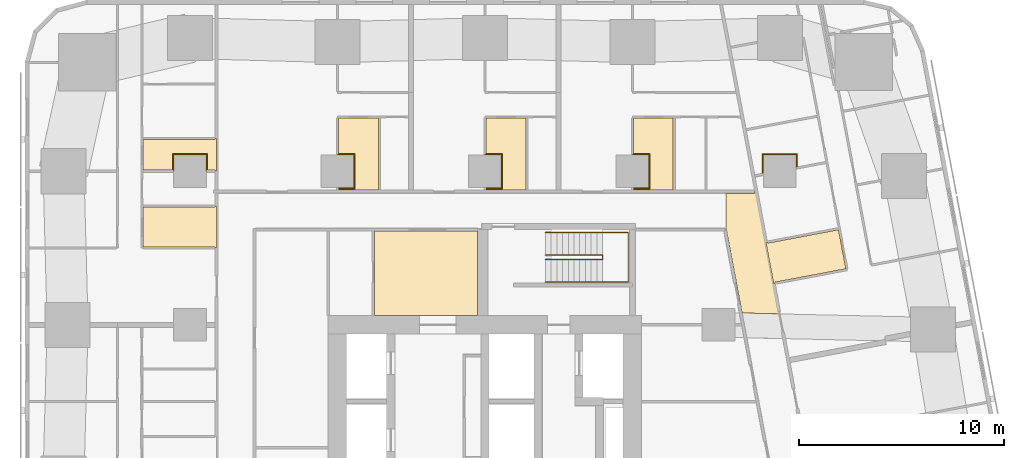
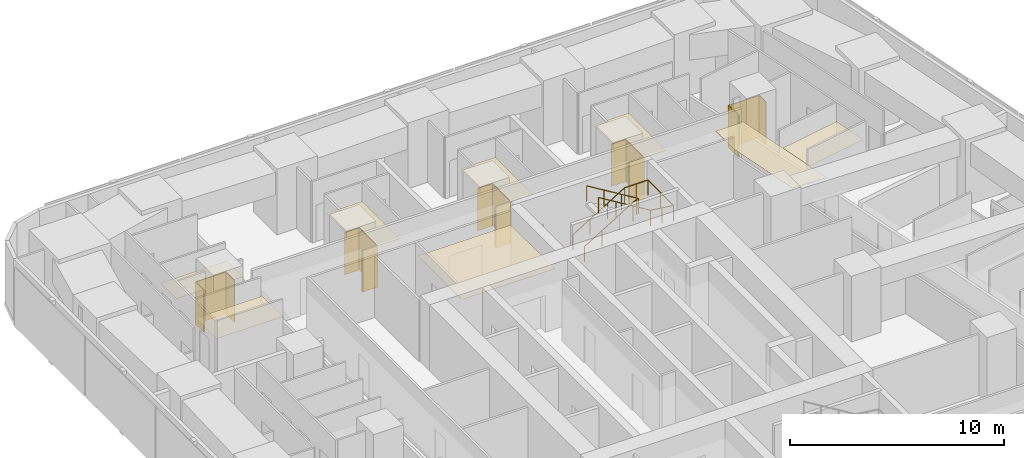
# One storey, part 16 of 16: 13 coverings, 2 railings.
"""IFC4 building model written with IfcOpenShell, lengths in metres."""

from ifc_helpers import new_model, si_unit, direction, frame, origin, origin_2d, place, context, subcontext, project, spatial, polyline, circle, outline, extrude, material, layer, layer_set, type_object, element, save


model = new_model("IFC4")

# Units and contexts
model_context = context("Model", 3, precision=1e-05, world=origin(), true_north=direction((0.0, 1.0)))
body_context = subcontext(model_context, "Body", "Model", "MODEL_VIEW")
ifc_project = project(units=[si_unit("LENGTHUNIT", "METRE"), si_unit("AREAUNIT", "SQUARE_METRE"), si_unit("VOLUMEUNIT", "CUBIC_METRE"), si_unit("PLANEANGLEUNIT", "RADIAN"), si_unit("MASSUNIT", "GRAM", prefix="KILO")], contexts=[model_context])

# Site, building, storey
site_placement = place(None, origin())
site = spatial("IfcSite", under=ifc_project, at=site_placement, CompositionType="ELEMENT")
building_placement = place(site_placement, origin())
building = spatial("IfcBuilding", under=site, at=building_placement, Name="Sheger Commons Tower", CompositionType="ELEMENT")
storey_placement = place(building_placement, frame((0.0, 0.0, 92.89990234375)))
storey = spatial("IfcBuildingStorey", under=building, at=storey_placement, Name="L23", CompositionType="ELEMENT", Elevation=92.89990234375)

# Railings
ifc_material_1 = material(Name="Steel handrail, black powder-coated", Category="steel")
railing_type = type_object("IfcRailingType", Name="HANDRAIL 900", PredefinedType="HANDRAIL", material=ifc_material_1)
railing_1_placement = place(storey_placement, frame((24.550048828125, 33.39990234375, 0.170654296875)))
element("IfcRailing", 1, at=railing_1_placement, inside=storey, type_object=railing_type, Name="Stair S2 handrail L23", PredefinedType="HANDRAIL", context=body_context, shape_type="SweptSolid", body=[
    extrude(circle(Radius=0.02392578125, at=origin_2d()), frame((0.0, 0.0, 0.8759765625), z_axis=(0.854202870247, 0.0, 0.519939858505), x_axis=(0.0, 1.0, 0.0)), (0.0, 0.0, 1.0), 3.278076171875),
    extrude(circle(Radius=0.02392578125, at=origin_2d()), frame((2.800048828125, 0.0, 2.580078125), z_axis=(0.0, -0.760631612298, 0.649183757016), x_axis=(1.0, 0.0, 0.0)), (0.0, 0.0, 1.0), 0.262939453125),
    extrude(circle(Radius=0.02392578125, at=origin_2d()), frame((2.800048828125, -0.199951171875, 2.7509765625), z_axis=(-0.854202870247, 0.0, 0.519939858505), x_axis=(0.0, -1.0, 0.0)), (0.0, 0.0, 1.0), 3.278076171875),
    extrude(circle(Radius=0.02099609375, at=origin_2d()), origin(), (0.0, 0.0, 1.0), 0.851806640625),
    extrude(circle(Radius=0.02099609375, at=origin_2d()), frame((0.933349609375, 0.0, 0.568115234375)), (0.0, 0.0, 1.0), 0.851806640625),
    extrude(circle(Radius=0.02099609375, at=origin_2d()), frame((1.86669921875, 0.0, 1.13623046875)), (0.0, 0.0, 1.0), 0.851806640625),
    extrude(circle(Radius=0.02099609375, at=origin_2d()), frame((2.800048828125, 0.0, 1.704345703125)), (0.0, 0.0, 1.0), 0.851806640625),
    extrude(circle(Radius=0.02099609375, at=origin_2d()), frame((2.800048828125, -0.199951171875, 1.875)), (0.0, 0.0, 1.0), 0.851806640625),
    extrude(circle(Radius=0.02099609375, at=origin_2d()), frame((1.86669921875, -0.199951171875, 2.443115234375)), (0.0, 0.0, 1.0), 0.851806640625),
    extrude(circle(Radius=0.02099609375, at=origin_2d()), frame((0.933349609375, -0.199951171875, 3.01123046875)), (0.0, 0.0, 1.0), 0.851806640625),
    extrude(circle(Radius=0.02099609375, at=origin_2d()), frame((0.0, -0.199951171875, 3.579345703125)), (0.0, 0.0, 1.0), 0.851806640625),
])
railing_2_placement = place(storey_placement, frame((24.550048828125, 34.5, 0.170654296875)))
element("IfcRailing", 2, at=railing_2_placement, inside=storey, type_object=railing_type, Name="Stair S2 handrail L23", PredefinedType="HANDRAIL", context=body_context, shape_type="SweptSolid", body=[
    extrude(circle(Radius=0.02392578125, at=origin_2d()), frame((0.0, 0.0, 0.8759765625), z_axis=(0.854202870247, 0.0, 0.519939858505), x_axis=(0.0, 1.0, 0.0)), (0.0, 0.0, 1.0), 3.278076171875),
    extrude(circle(Radius=0.02392578125, at=origin_2d()), frame((2.800048828125, 0.0, 2.580078125), z_axis=(1.0, 0.0, 0.0), x_axis=(0.0, 1.0, 0.0)), (0.0, 0.0, 1.0), 1.25),
    extrude(circle(Radius=0.02392578125, at=origin_2d()), frame((4.050048828125, 0.0, 2.580078125), z_axis=(0.0, -1.0, 0.0), x_axis=(1.0, 0.0, 0.0)), (0.0, 0.0, 1.0), 2.39990234375),
    extrude(circle(Radius=0.02392578125, at=origin_2d()), frame((4.050048828125, -2.39990234375, 2.580078125), z_axis=(-0.990808959222, 0.0, 0.135268645019), x_axis=(0.0, -1.0, 0.0)), (0.0, 0.0, 1.0), 1.261474609375),
    extrude(circle(Radius=0.02392578125, at=origin_2d()), frame((2.800048828125, -2.39990234375, 2.7509765625), z_axis=(-0.854202870247, 0.0, 0.519939858505), x_axis=(0.0, -1.0, 0.0)), (0.0, 0.0, 1.0), 3.278076171875),
    extrude(circle(Radius=0.02099609375, at=origin_2d()), origin(), (0.0, 0.0, 1.0), 0.851806640625),
    extrude(circle(Radius=0.02099609375, at=origin_2d()), frame((0.933349609375, 0.0, 0.568115234375)), (0.0, 0.0, 1.0), 0.851806640625),
    extrude(circle(Radius=0.02099609375, at=origin_2d()), frame((1.86669921875, 0.0, 1.13623046875)), (0.0, 0.0, 1.0), 0.851806640625),
    extrude(circle(Radius=0.02099609375, at=origin_2d()), frame((2.800048828125, 0.0, 1.704345703125)), (0.0, 0.0, 1.0), 0.851806640625),
    extrude(circle(Radius=0.02099609375, at=origin_2d()), frame((3.425048828125, 0.0, 1.704345703125)), (0.0, 0.0, 1.0), 0.851806640625),
    extrude(circle(Radius=0.02099609375, at=origin_2d()), frame((4.050048828125, 0.0, 1.704345703125)), (0.0, 0.0, 1.0), 0.851806640625),
    extrude(circle(Radius=0.02099609375, at=origin_2d()), frame((4.050048828125, -1.199951171875, 1.704345703125)), (0.0, 0.0, 1.0), 0.851806640625),
    extrude(circle(Radius=0.02099609375, at=origin_2d()), frame((4.050048828125, -2.39990234375, 1.704345703125)), (0.0, 0.0, 1.0), 0.851806640625),
    extrude(circle(Radius=0.02099609375, at=origin_2d()), frame((3.425048828125, -2.39990234375, 1.78955078125)), (0.0, 0.0, 1.0), 0.851806640625),
    extrude(circle(Radius=0.02099609375, at=origin_2d()), frame((2.800048828125, -2.39990234375, 1.875)), (0.0, 0.0, 1.0), 0.851806640625),
    extrude(circle(Radius=0.02099609375, at=origin_2d()), frame((1.86669921875, -2.39990234375, 2.443115234375)), (0.0, 0.0, 1.0), 0.851806640625),
    extrude(circle(Radius=0.02099609375, at=origin_2d()), frame((0.933349609375, -2.39990234375, 3.01123046875)), (0.0, 0.0, 1.0), 0.851806640625),
    extrude(circle(Radius=0.02099609375, at=origin_2d()), frame((0.0, -2.39990234375, 3.579345703125)), (0.0, 0.0, 1.0), 0.851806640625),
])

# Coverings
ifc_material_2 = material(Name="Moisture-resistant gypsum plasterboard 15 mm on a suspended galvanised steel grid", Category="steel")
ifc_layer_1 = layer(ifc_material_2, 0.014892578125)
ifc_layer_set_1 = layer_set([ifc_layer_1], Name="MOISTURE-RESISTANT CEILING 15")
covering_type_1 = type_object("IfcCoveringType", Name="MOISTURE-RESISTANT CEILING 15", PredefinedType="CEILING", material=ifc_layer_set_1)
covering_1_placement = place(storey_placement, frame((0.0, 0.0, 2.400146484375)))
element("IfcCovering", 3, at=covering_1_placement, inside=storey, type_object=covering_type_1, Name="L23-04.B1 ceiling", PredefinedType="CEILING", context=body_context, shape_type="SweptSolid", body=[
    extrude(outline(polyline([(8.429931640625, 33.75), (8.5, 33.75), (8.5, 35.800048828125), (8.429931640625, 35.800048828125), (8.429931640625, 35.7451171875), (4.905029296875, 35.7451171875), (4.905029296875, 33.804931640625), (8.429931640625, 33.804931640625), (8.429931640625, 33.75)])), origin(), (0.0, 0.0, 1.0), 0.014892578125),
])
covering_2_placement = place(storey_placement, frame((0.0, 0.0, 2.400146484375)))
element("IfcCovering", 4, at=covering_2_placement, inside=storey, type_object=covering_type_1, Name="L23-04.B2 ceiling", PredefinedType="CEILING", context=body_context, shape_type="SweptSolid", body=[
    extrude(outline(polyline([(8.429931640625, 37.5), (8.5, 37.5), (8.5, 39.10009765625), (8.429931640625, 39.10009765625), (8.429931640625, 39.044921875), (4.905029296875, 39.044921875), (4.905029296875, 37.554931640625), (6.39501953125, 37.554931640625), (6.39501953125, 38.304931640625), (8.0048828125, 38.304931640625), (8.0048828125, 37.554931640625), (8.429931640625, 37.554931640625), (8.429931640625, 37.5)])), origin(), (0.0, 0.0, 1.0), 0.014892578125),
])
covering_3_placement = place(storey_placement, frame((0.0, 0.0, 2.400146484375)))
element("IfcCovering", 5, at=covering_3_placement, inside=storey, type_object=covering_type_1, Name="L23-09.B1 ceiling", PredefinedType="CEILING", context=body_context, shape_type="SweptSolid", body=[
    extrude(outline(polyline([(35.701904296875, 32.014892578125), (35.77099609375, 32.028076171875), (35.760986328125, 32.08203125), (39.22412109375, 32.736083984375), (38.864013671875, 34.64208984375), (35.40087890625, 33.988037109375), (35.39111328125, 34.0419921875), (35.322021484375, 34.029052734375), (35.701904296875, 32.014892578125)])), origin(), (0.0, 0.0, 1.0), 0.014892578125),
])
covering_4_placement = place(storey_placement, frame((0.0, 0.0, 2.400146484375)))
element("IfcCovering", 6, at=covering_4_placement, inside=storey, type_object=covering_type_1, Name="L23-12.B1 ceiling", PredefinedType="CEILING", context=body_context, shape_type="SweptSolid", body=[
    extrude(outline(polyline([(14.455078125, 36.580078125), (16.39501953125, 36.580078125), (16.39501953125, 40.094970703125), (14.455078125, 40.094970703125), (14.455078125, 38.304931640625), (15.205078125, 38.304931640625), (15.205078125, 36.695068359375), (14.455078125, 36.695068359375), (14.455078125, 36.580078125)])), origin(), (0.0, 0.0, 1.0), 0.014892578125),
])
covering_5_placement = place(storey_placement, frame((0.0, 0.0, 2.400146484375)))
element("IfcCovering", 7, at=covering_5_placement, inside=storey, type_object=covering_type_1, Name="L23-13.B1 ceiling", PredefinedType="CEILING", context=body_context, shape_type="SweptSolid", body=[
    extrude(outline(polyline([(21.655029296875, 36.580078125), (23.594970703125, 36.580078125), (23.594970703125, 40.094970703125), (21.655029296875, 40.094970703125), (21.655029296875, 38.304931640625), (22.405029296875, 38.304931640625), (22.405029296875, 36.695068359375), (21.655029296875, 36.695068359375), (21.655029296875, 36.580078125)])), origin(), (0.0, 0.0, 1.0), 0.014892578125),
])
covering_6_placement = place(storey_placement, frame((0.0, 0.0, 2.400146484375)))
element("IfcCovering", 8, at=covering_6_placement, inside=storey, type_object=covering_type_1, Name="L23-14.B1 ceiling", PredefinedType="CEILING", context=body_context, shape_type="SweptSolid", body=[
    extrude(outline(polyline([(28.85498046875, 36.580078125), (30.794921875, 36.580078125), (30.794921875, 40.094970703125), (28.85498046875, 40.094970703125), (28.85498046875, 38.304931640625), (29.60498046875, 38.304931640625), (29.60498046875, 36.695068359375), (28.85498046875, 36.695068359375), (28.85498046875, 36.580078125)])), origin(), (0.0, 0.0, 1.0), 0.014892578125),
])
ifc_material_3 = material(Name="Gypsum plasterboard 15 mm on a suspended steel grid", Category="steel")
ifc_layer_2 = layer(ifc_material_3, 0.014892578125)
ifc_layer_set_2 = layer_set([ifc_layer_2], Name="SUSPENDED CEILING 15")
covering_type_2 = type_object("IfcCoveringType", Name="SUSPENDED CEILING 15", PredefinedType="CEILING", material=ifc_layer_set_2)
covering_7_placement = place(storey_placement, frame((0.0, 0.0, 2.7001953125)))
element("IfcCovering", 9, at=covering_7_placement, inside=storey, type_object=covering_type_2, Name="L23-CO ceiling", PredefinedType="CEILING", context=body_context, shape_type="SweptSolid", body=[
    extrude(outline(polyline([(35.98095703125, 30.5380859375), (34.85498046875, 36.5), (34.77001953125, 36.5), (34.77001953125, 36.419921875), (33.365966796875, 36.419921875), (33.365966796875, 34.699951171875), (33.365966796875, 34.697998046875), (33.364013671875, 34.697998046875), (33.382080078125, 34.60205078125), (33.39892578125, 34.60498046875), (34.159912109375, 30.5791015625), (35.98095703125, 30.5380859375)])), origin(), (0.0, 0.0, 1.0), 0.014892578125),
])
covering_8_placement = place(storey_placement, frame((0.0, 0.0, 2.7001953125)))
element("IfcCovering", 10, at=covering_8_placement, inside=storey, type_object=covering_type_2, Name="L23-SVN1 ceiling", PredefinedType="CEILING", context=body_context, shape_type="SweptSolid", body=[
    extrude(outline(polyline([(16.217041015625, 30.455078125), (21.2451171875, 30.455078125), (21.2451171875, 34.58203125), (16.217041015625, 34.58203125), (16.217041015625, 30.455078125)])), origin(), (0.0, 0.0, 1.0), 0.014892578125),
])
ifc_material_4 = material(Name="Moisture-resistant gypsum board 12.5 mm on 25 mm treated timber battens, tanked and tiled", Category="wood")
ifc_layer_3 = layer(ifc_material_4, 0.050048828125)
ifc_layer_set_3 = layer_set([ifc_layer_3], Name="WET-ROOM COLUMN LINING")
covering_type_3 = type_object("IfcCoveringType", Name="WET-ROOM COLUMN LINING", PredefinedType="CLADDING", material=ifc_layer_set_3)
covering_9_placement = place(storey_placement, origin())
element("IfcCovering", 11, at=covering_9_placement, inside=storey, type_object=covering_type_3, Name="Shower room column lining C9 L23", PredefinedType="CLADDING", context=body_context, shape_type="SweptSolid", body=[
    extrude(outline(polyline([(8.050048828125, 38.35009765625), (8.050048828125, 37.550048828125), (8.0009765625, 37.550048828125), (8.0009765625, 37.5), (8.0, 37.5), (8.0, 38.300048828125), (6.39990234375, 38.300048828125), (6.39990234375, 37.5), (6.39892578125, 37.5), (6.39892578125, 37.550048828125), (6.35009765625, 37.550048828125), (6.35009765625, 38.35009765625), (8.050048828125, 38.35009765625)])), origin(), (0.0, 0.0, 1.0), 2.400146484375),
])
covering_10_placement = place(storey_placement, origin())
element("IfcCovering", 12, at=covering_10_placement, inside=storey, type_object=covering_type_3, Name="Bathroom column lining C9 L23", PredefinedType="CLADDING", context=body_context, shape_type="SweptSolid", body=[
    extrude(outline(polyline([(15.25, 36.64990234375), (14.449951171875, 36.64990234375), (14.449951171875, 36.698974609375), (14.39990234375, 36.698974609375), (14.39990234375, 36.699951171875), (15.199951171875, 36.699951171875), (15.199951171875, 38.300048828125), (14.39990234375, 38.300048828125), (14.39990234375, 38.301025390625), (14.449951171875, 38.301025390625), (14.449951171875, 38.35009765625), (15.25, 38.35009765625), (15.25, 36.64990234375)])), origin(), (0.0, 0.0, 1.0), 2.400146484375),
])
covering_11_placement = place(storey_placement, origin())
element("IfcCovering", 13, at=covering_11_placement, inside=storey, type_object=covering_type_3, Name="Bathroom column lining C9 L23", PredefinedType="CLADDING", context=body_context, shape_type="SweptSolid", body=[
    extrude(outline(polyline([(22.449951171875, 36.64990234375), (21.64990234375, 36.64990234375), (21.64990234375, 36.698974609375), (21.60009765625, 36.698974609375), (21.60009765625, 36.699951171875), (22.39990234375, 36.699951171875), (22.39990234375, 38.300048828125), (21.60009765625, 38.300048828125), (21.60009765625, 38.301025390625), (21.64990234375, 38.301025390625), (21.64990234375, 38.35009765625), (22.449951171875, 38.35009765625), (22.449951171875, 36.64990234375)])), origin(), (0.0, 0.0, 1.0), 2.400146484375),
])
covering_12_placement = place(storey_placement, origin())
element("IfcCovering", 14, at=covering_12_placement, inside=storey, type_object=covering_type_3, Name="Bathroom column lining C9 L23", PredefinedType="CLADDING", context=body_context, shape_type="SweptSolid", body=[
    extrude(outline(polyline([(29.64990234375, 36.64990234375), (28.85009765625, 36.64990234375), (28.85009765625, 36.698974609375), (28.800048828125, 36.698974609375), (28.800048828125, 36.699951171875), (29.60009765625, 36.699951171875), (29.60009765625, 38.300048828125), (28.800048828125, 38.300048828125), (28.800048828125, 38.301025390625), (28.85009765625, 38.301025390625), (28.85009765625, 38.35009765625), (29.64990234375, 38.35009765625), (29.64990234375, 36.64990234375)])), origin(), (0.0, 0.0, 1.0), 2.400146484375),
])
covering_13_placement = place(storey_placement, origin())
element("IfcCovering", 15, at=covering_13_placement, inside=storey, type_object=covering_type_3, Name="Laundry room column lining C9 L23", PredefinedType="CLADDING", context=body_context, shape_type="SweptSolid", body=[
    extrude(outline(polyline([(36.85009765625, 38.35009765625), (36.85009765625, 37.7109375), (36.801025390625, 37.701904296875), (36.81005859375, 37.654052734375), (36.800048828125, 37.652099609375), (36.800048828125, 38.300048828125), (35.199951171875, 38.300048828125), (35.199951171875, 37.34912109375), (35.18994140625, 37.346923828125), (35.180908203125, 37.39599609375), (35.14990234375, 37.389892578125), (35.14990234375, 38.35009765625), (36.85009765625, 38.35009765625)])), origin(), (0.0, 0.0, 1.0), 2.400146484375),
])

save(model, "model.ifc")
